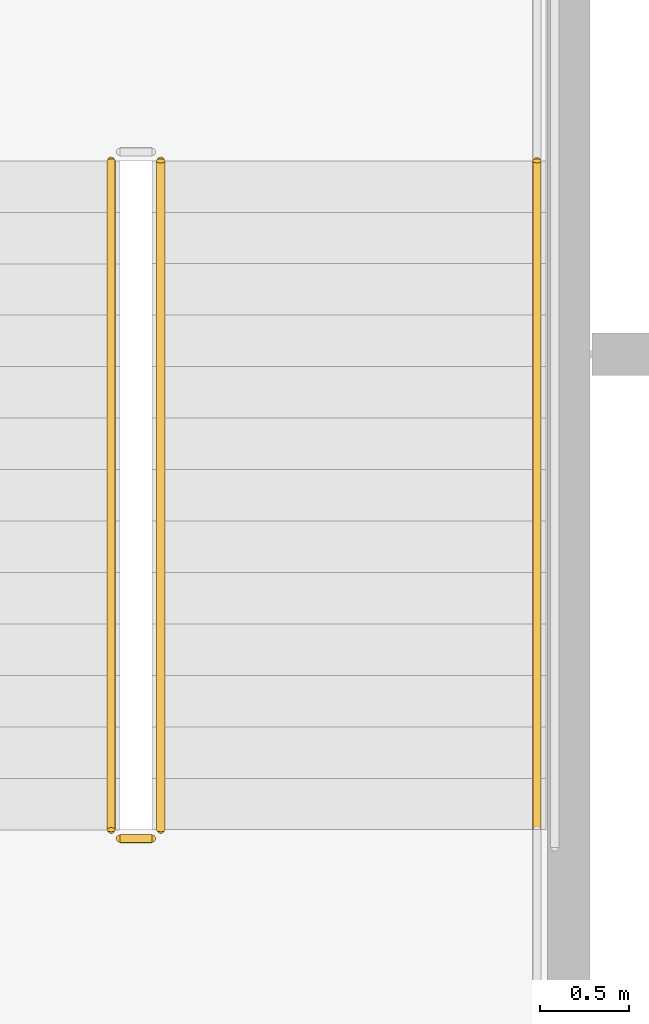
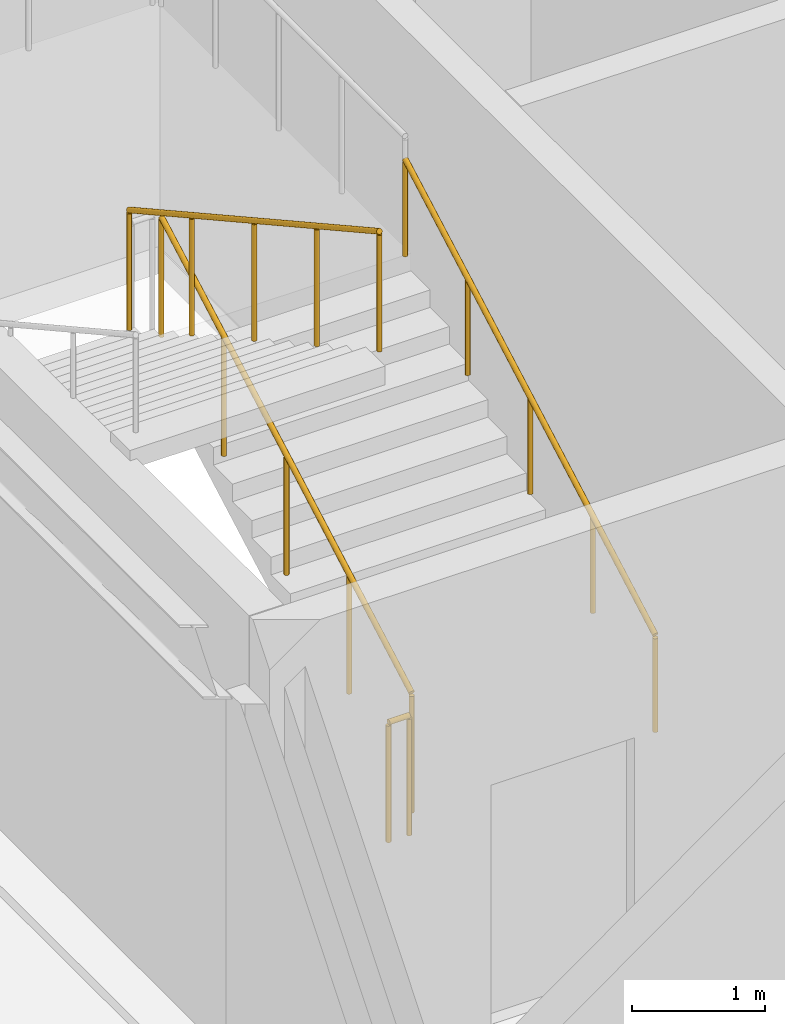
# One storey, part 84 of 88: 4 railings.
"""IFC4 building model written with IfcOpenShell, lengths in metres."""

from ifc_helpers import new_model, si_unit, direction, frame, origin, origin_2d, place, context, subcontext, project, spatial, circle, extrude, material, layer, layer_set, type_object, element, save


model = new_model("IFC4")

# Units and contexts
model_context = context("Model", 3, precision=1e-05, world=origin(), true_north=direction((0.0, 1.0)))
body_context = subcontext(model_context, "Body", "Model", "MODEL_VIEW")
ifc_project = project(units=[si_unit("LENGTHUNIT", "METRE"), si_unit("AREAUNIT", "SQUARE_METRE"), si_unit("VOLUMEUNIT", "CUBIC_METRE"), si_unit("PLANEANGLEUNIT", "RADIAN"), si_unit("MASSUNIT", "GRAM", prefix="KILO")], contexts=[model_context])

# Site, building, storey
site_placement = place(None, origin())
site = spatial("IfcSite", under=ifc_project, at=site_placement, CompositionType="ELEMENT")
building_placement = place(site_placement, origin())
building = spatial("IfcBuilding", under=site, at=building_placement, Name="Sarnbrook Museum", CompositionType="ELEMENT")
storey_placement = place(building_placement, frame((0.0, 0.0, 10.10009765625)))
storey = spatial("IfcBuildingStorey", under=building, at=storey_placement, Name="L02", CompositionType="ELEMENT", Elevation=10.10009765625)

# Railings
ifc_material = material(Name="Brushed Stainless Steel Grade 316", Category="steel")
ifc_layer_1 = layer(ifc_material, 0.050048828125)
ifc_layer_set_1 = layer_set([ifc_layer_1], Name="Brushed Stainless Steel Grade 316")
railing_type_1 = type_object("IfcRailingType", Name="Guard_Int1120", PredefinedType="BALUSTRADE", material=ifc_layer_set_1)
railing_1_placement = place(storey_placement, frame((83.889892578125, 97.1201171875, 0.16064453125)))
element("IfcRailing", 1, at=railing_1_placement, inside=storey, type_object=railing_type_1, Name="L02 ST4 stair guard 1", PredefinedType="BALUSTRADE", context=body_context, shape_type="SweptSolid", body=[
    extrude(circle(Radius=0.02392578125, at=origin_2d()), frame((0.0, 0.0, 1.09619140625), z_axis=(0.0, 0.874645791573, 0.484762559697), x_axis=(-1.0, 0.0, 0.0)), (0.0, 0.0, 1.0), 4.31005859375),
    extrude(circle(Radius=0.02099609375, at=origin_2d()), origin(), (0.0, 0.0, 1.0), 1.072021484375),
    extrude(circle(Radius=0.02099609375, at=origin_2d()), frame((0.0, 0.9423828125, 0.5224609375)), (0.0, 0.0, 1.0), 1.072021484375),
    extrude(circle(Radius=0.02099609375, at=origin_2d()), frame((0.0, 1.884765625, 1.044677734375)), (0.0, 0.0, 1.0), 1.072021484375),
    extrude(circle(Radius=0.02099609375, at=origin_2d()), frame((0.0, 2.827392578125, 1.56689453125)), (0.0, 0.0, 1.0), 1.072021484375),
    extrude(circle(Radius=0.02099609375, at=origin_2d()), frame((0.0, 3.769775390625, 2.08935546875)), (0.0, 0.0, 1.0), 1.072021484375),
])
railing_2_placement = place(storey_placement, frame((83.610107421875, 100.889892578125, 2.41064453125)))
element("IfcRailing", 2, at=railing_2_placement, inside=storey, type_object=railing_type_1, Name="L02 ST4 stair guard 6", PredefinedType="BALUSTRADE", context=body_context, shape_type="SweptSolid", body=[
    extrude(circle(Radius=0.02392578125, at=origin_2d()), frame((0.0, 0.0, 1.09619140625), z_axis=(0.0, -0.874645791573, 0.484762559697), x_axis=(1.0, 0.0, 0.0)), (0.0, 0.0, 1.0), 4.31005859375),
    extrude(circle(Radius=0.02099609375, at=origin_2d()), origin(), (0.0, 0.0, 1.0), 1.072021484375),
    extrude(circle(Radius=0.02099609375, at=origin_2d()), frame((0.0, -0.9423828125, 0.5224609375)), (0.0, 0.0, 1.0), 1.072021484375),
    extrude(circle(Radius=0.02099609375, at=origin_2d()), frame((0.0, -1.884765625, 1.044677734375)), (0.0, 0.0, 1.0), 1.072021484375),
    extrude(circle(Radius=0.02099609375, at=origin_2d()), frame((0.0, -2.827392578125, 1.56689453125)), (0.0, 0.0, 1.0), 1.072021484375),
    extrude(circle(Radius=0.02099609375, at=origin_2d()), frame((0.0, -3.769775390625, 2.08935546875)), (0.0, 0.0, 1.0), 1.072021484375),
])
railing_3_placement = place(storey_placement, frame((83.840087890625, 97.070068359375, 0.0)))
element("IfcRailing", 3, at=railing_3_placement, inside=storey, type_object=railing_type_1, Name="L02 ST4 stair guard 7", PredefinedType="BALUSTRADE", context=body_context, shape_type="SweptSolid", body=[
    extrude(circle(Radius=0.02392578125, at=origin_2d()), frame((0.0, 0.0, 1.09619140625), z_axis=(-1.0, 0.0, 0.0), x_axis=(0.0, -1.0, 0.0)), (0.0, 0.0, 1.0), 0.18017578125),
    extrude(circle(Radius=0.02099609375, at=origin_2d()), origin(), (0.0, 0.0, 1.0), 1.072021484375),
    extrude(circle(Radius=0.02099609375, at=origin_2d()), frame((-0.18017578125, 0.0, 0.0)), (0.0, 0.0, 1.0), 1.072021484375),
])
ifc_layer_2 = layer(ifc_material, 0.048095703125)
ifc_layer_set_2 = layer_set([ifc_layer_2], Name="Brushed Stainless Steel Grade 316")
railing_type_2 = type_object("IfcRailingType", Name="Handrail_920", PredefinedType="HANDRAIL", material=ifc_layer_set_2)
railing_4_placement = place(storey_placement, frame((86.010009765625, 97.1201171875, 0.16064453125)))
element("IfcRailing", 4, at=railing_4_placement, inside=storey, type_object=railing_type_2, Name="L02 ST4 stair handrail 1", PredefinedType="HANDRAIL", context=body_context, shape_type="SweptSolid", body=[
    extrude(circle(Radius=0.02392578125, at=origin_2d()), frame((0.0, 0.0, 0.8857421875), z_axis=(0.0, 0.874645791573, 0.484762559697), x_axis=(-1.0, 0.0, 0.0)), (0.0, 0.0, 1.0), 4.31005859375),
    extrude(circle(Radius=0.02099609375, at=origin_2d()), origin(), (0.0, 0.0, 1.0), 0.86181640625),
    extrude(circle(Radius=0.02099609375, at=origin_2d()), frame((0.0, 0.9423828125, 0.5224609375)), (0.0, 0.0, 1.0), 0.86181640625),
    extrude(circle(Radius=0.02099609375, at=origin_2d()), frame((0.0, 1.884765625, 1.044677734375)), (0.0, 0.0, 1.0), 0.86181640625),
    extrude(circle(Radius=0.02099609375, at=origin_2d()), frame((0.0, 2.827392578125, 1.56689453125)), (0.0, 0.0, 1.0), 0.86181640625),
    extrude(circle(Radius=0.02099609375, at=origin_2d()), frame((0.0, 3.769775390625, 2.08935546875)), (0.0, 0.0, 1.0), 0.86181640625),
])

save(model, "model.ifc")
